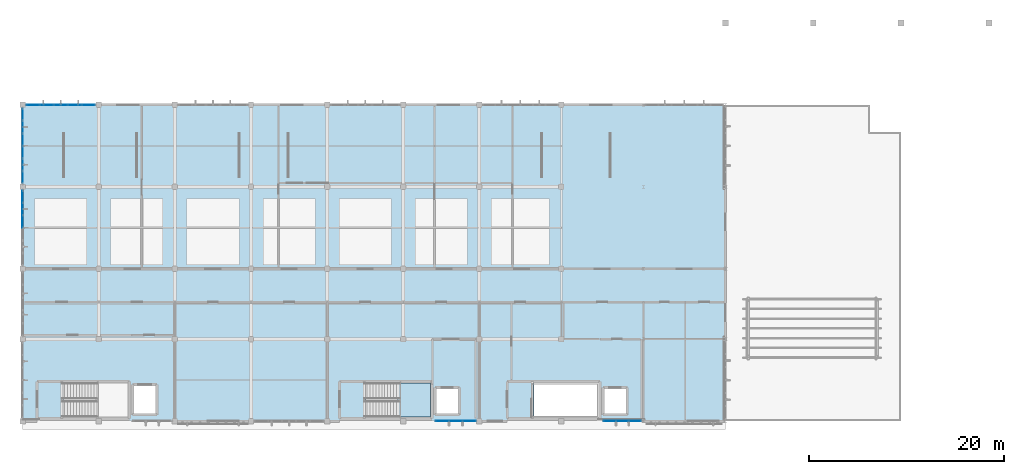
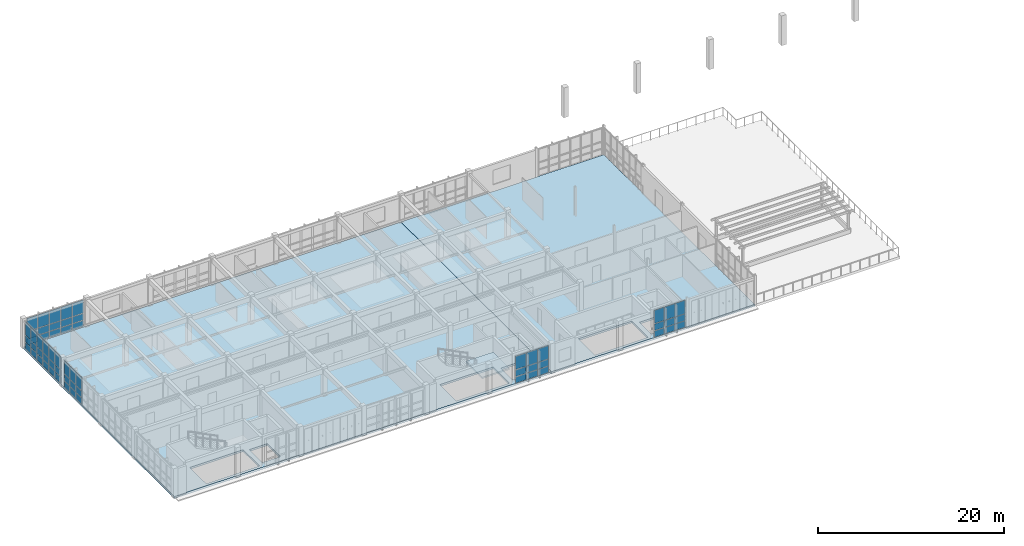
# One storey, part 19 of 35: 60 plates, 3 slabs, 6 elements without a shape of their own.
"""IFC4 building model written with IfcOpenShell, lengths in metres."""

from ifc_helpers import new_model, si_unit, direction, frame, origin, origin_2d, place, context, subcontext, project, spatial, polyline, rectangle, outline, extrude, material, layer, layer_set, type_object, element, aggregate, save


model = new_model("IFC4")

# Units and contexts
model_context = context("Model", 3, precision=1e-05, world=origin(), true_north=direction((0.0, 1.0)))
body_context = subcontext(model_context, "Body", "Model", "MODEL_VIEW")
ifc_project = project(units=[si_unit("LENGTHUNIT", "METRE"), si_unit("AREAUNIT", "SQUARE_METRE"), si_unit("VOLUMEUNIT", "CUBIC_METRE"), si_unit("PLANEANGLEUNIT", "RADIAN"), si_unit("MASSUNIT", "GRAM", prefix="KILO")], contexts=[model_context])

# Site, building, storey
site_placement = place(None, origin())
site = spatial("IfcSite", under=ifc_project, at=site_placement, CompositionType="ELEMENT")
building_placement = place(site_placement, origin())
building = spatial("IfcBuilding", under=site, at=building_placement, Name="Tizgana Railside Sports Hall", CompositionType="ELEMENT")
storey_placement = place(building_placement, frame((0.0, 0.0, 15.89990234375)))
storey = spatial("IfcBuildingStorey", under=building, at=storey_placement, Name="L03", CompositionType="ELEMENT", Elevation=15.89990234375)

# Curtain wall, plates
ifc_material_1 = material(Name="Anodised aluminium and glass", Category="aluminium")
curtain_wall_type_1 = type_object("IfcCurtainWallType", Name="Unitised Curtain Wall Foyer 1300", PredefinedType="NOTDEFINED", material=ifc_material_1)
curtain_wall_1_placement = place(storey_placement, origin())
curtain_wall_1 = element("IfcCurtainWall", 1, at=curtain_wall_1_placement, inside=storey, type_object=curtain_wall_type_1, Name="L03 Curtain Wall CW-0121", PredefinedType="NOTDEFINED")
ifc_material_2 = material(Name="Double low-E laminated glass", Category="glass")
ifc_layer_1 = layer(ifc_material_2, 0.033935546875, Name="Double low-E laminated glass")
ifc_layer_set_1 = layer_set([ifc_layer_1], Name="Double low-E laminated glass")
plate_type_1 = type_object("IfcPlateType", Name="Acoustic Laminated Glazing Panel 34", PredefinedType="CURTAIN_PANEL", material=ifc_layer_set_1)
plate_1_placement = place(storey_placement, frame((53.556640625, 0.0, 0.06005859375), z_axis=(0.0, 0.0, 1.0), x_axis=(-1.0, 0.0, 0.0)))
plate_1 = element("IfcPlate", 2, at=plate_1_placement, type_object=plate_type_1, Name="CW-02 panel 1.1", PredefinedType="CURTAIN_PANEL", context=body_context, shape_type="SweptSolid", body=[
    extrude(rectangle(XDim=1.306640625, YDim=0.033935546875, at=origin_2d()), origin(), (0.0, 0.0, 1.0), 0.81005859375),
])
plate_2_placement = place(storey_placement, frame((53.556640625, 0.0, 0.93017578125), z_axis=(0.0, 0.0, 1.0), x_axis=(-1.0, 0.0, 0.0)))
plate_2 = element("IfcPlate", 3, at=plate_2_placement, type_object=plate_type_1, Name="CW-02 panel 1.2", PredefinedType="CURTAIN_PANEL", context=body_context, shape_type="SweptSolid", body=[
    extrude(rectangle(XDim=1.306640625, YDim=0.033935546875, at=origin_2d()), origin(), (0.0, 0.0, 1.0), 0.860107421875),
])
plate_3_placement = place(storey_placement, frame((53.556640625, 0.0, 1.85009765625), z_axis=(0.0, 0.0, 1.0), x_axis=(-1.0, 0.0, 0.0)))
plate_3 = element("IfcPlate", 4, at=plate_3_placement, type_object=plate_type_1, Name="CW-02 panel 1.3", PredefinedType="CURTAIN_PANEL", context=body_context, shape_type="SweptSolid", body=[
    extrude(rectangle(XDim=1.306640625, YDim=0.033935546875, at=origin_2d()), origin(), (0.0, 0.0, 1.0), 1.72998046875),
])
plate_4_placement = place(storey_placement, frame((52.175048828125, 0.0, 0.06005859375), z_axis=(0.0, 0.0, 1.0), x_axis=(-1.0, 0.0, 0.0)))
plate_4 = element("IfcPlate", 5, at=plate_4_placement, type_object=plate_type_1, Name="CW-02 panel 2.1", PredefinedType="CURTAIN_PANEL", context=body_context, shape_type="SweptSolid", body=[
    extrude(rectangle(XDim=1.336669921875, YDim=0.033935546875, at=origin_2d()), origin(), (0.0, 0.0, 1.0), 0.81005859375),
])
plate_5_placement = place(storey_placement, frame((52.175048828125, 0.0, 0.93017578125), z_axis=(0.0, 0.0, 1.0), x_axis=(-1.0, 0.0, 0.0)))
plate_5 = element("IfcPlate", 6, at=plate_5_placement, type_object=plate_type_1, Name="CW-02 panel 2.2", PredefinedType="CURTAIN_PANEL", context=body_context, shape_type="SweptSolid", body=[
    extrude(rectangle(XDim=1.336669921875, YDim=0.033935546875, at=origin_2d()), origin(), (0.0, 0.0, 1.0), 0.860107421875),
])
plate_6_placement = place(storey_placement, frame((52.175048828125, 0.0, 1.85009765625), z_axis=(0.0, 0.0, 1.0), x_axis=(-1.0, 0.0, 0.0)))
plate_6 = element("IfcPlate", 7, at=plate_6_placement, type_object=plate_type_1, Name="CW-02 panel 2.3", PredefinedType="CURTAIN_PANEL", context=body_context, shape_type="SweptSolid", body=[
    extrude(rectangle(XDim=1.336669921875, YDim=0.033935546875, at=origin_2d()), origin(), (0.0, 0.0, 1.0), 1.72998046875),
])
plate_7_placement = place(storey_placement, frame((50.793212890625, 0.0, 0.06005859375), z_axis=(0.0, 0.0, 1.0), x_axis=(-1.0, 0.0, 0.0)))
plate_7 = element("IfcPlate", 8, at=plate_7_placement, type_object=plate_type_1, Name="CW-02 panel 3.1", PredefinedType="CURTAIN_PANEL", context=body_context, shape_type="SweptSolid", body=[
    extrude(rectangle(XDim=1.306640625, YDim=0.033935546875, at=origin_2d()), origin(), (0.0, 0.0, 1.0), 0.81005859375),
])
plate_8_placement = place(storey_placement, frame((50.793212890625, 0.0, 0.93017578125), z_axis=(0.0, 0.0, 1.0), x_axis=(-1.0, 0.0, 0.0)))
plate_8 = element("IfcPlate", 9, at=plate_8_placement, type_object=plate_type_1, Name="CW-02 panel 3.2", PredefinedType="CURTAIN_PANEL", context=body_context, shape_type="SweptSolid", body=[
    extrude(rectangle(XDim=1.306640625, YDim=0.033935546875, at=origin_2d()), origin(), (0.0, 0.0, 1.0), 0.860107421875),
])
plate_9_placement = place(storey_placement, frame((50.793212890625, 0.0, 1.85009765625), z_axis=(0.0, 0.0, 1.0), x_axis=(-1.0, 0.0, 0.0)))
plate_9 = element("IfcPlate", 10, at=plate_9_placement, type_object=plate_type_1, Name="CW-02 panel 3.3", PredefinedType="CURTAIN_PANEL", context=body_context, shape_type="SweptSolid", body=[
    extrude(rectangle(XDim=1.306640625, YDim=0.033935546875, at=origin_2d()), origin(), (0.0, 0.0, 1.0), 1.72998046875),
])
aggregate(curtain_wall_1, [plate_1, plate_2, plate_3, plate_4, plate_5, plate_6, plate_7, plate_8, plate_9])

# Stair, slab
ifc_material_3 = material(Name="Concrete C35/45", Category="concrete")
stair_type = type_object("IfcStairType", Name="Tournament Court Stair 1600", PredefinedType="HALF_TURN_STAIR", material=ifc_material_3)
stair_placement = place(storey_placement, origin())
stair = element("IfcStair", 11, at=stair_placement, inside=storey, type_object=stair_type, Name="L03 Core Stair ST-02", PredefinedType="HALF_TURN_STAIR")
ifc_layer_2 = layer(ifc_material_3, 0.199951171875, Name="Concrete C35/45")
ifc_layer_set_2 = layer_set([ifc_layer_2], Name="Concrete C35/45")
slab_type_1 = type_object("IfcSlabType", Name="Core Stair Landing Slab 200", PredefinedType="LANDING", material=ifc_layer_set_2)
slab_1_placement = place(storey_placement, frame((0.0, 0.0, 1.75)))
slab_1 = element("IfcSlab", 12, at=slab_1_placement, type_object=slab_type_1, Name="ST-02 landing 1", PredefinedType="LANDING", context=body_context, shape_type="SweptSolid", body=[
    extrude(outline(polyline([(46.219970703125, 0.39990234375), (49.60009765625, 0.39990234375), (49.60009765625, 3.89990234375), (46.219970703125, 3.89990234375), (46.219970703125, 0.39990234375)])), origin(), (0.0, 0.0, 1.0), 0.2001953125),
])
aggregate(stair, [slab_1])

# Curtain wall, plates
curtain_wall_type_2 = type_object("IfcCurtainWallType", Name="Unitised Curtain Wall Studio 1400", PredefinedType="NOTDEFINED", material=ifc_material_1)
curtain_wall_2_placement = place(storey_placement, origin())
curtain_wall_2 = element("IfcCurtainWall", 13, at=curtain_wall_2_placement, inside=storey, type_object=curtain_wall_type_2, Name="L03 Curtain Wall CW-0122", PredefinedType="NOTDEFINED")
ifc_layer_3 = layer(ifc_material_2, 0.0400390625, Name="Double low-E laminated glass")
ifc_layer_set_3 = layer_set([ifc_layer_3], Name="Double low-E laminated glass")
plate_type_2 = type_object("IfcPlateType", Name="High-Span Tempered Glazing Panel 40", PredefinedType="CURTAIN_PANEL", material=ifc_layer_set_3)
plate_10_placement = place(storey_placement, frame((70.535888671875, 0.0, 0.06005859375), z_axis=(0.0, 0.0, 1.0), x_axis=(-1.0, 0.0, 0.0)))
plate_10 = element("IfcPlate", 14, at=plate_10_placement, type_object=plate_type_2, Name="CW-03 panel 1.1", PredefinedType="CURTAIN_PANEL", context=body_context, shape_type="SweptSolid", body=[
    extrude(rectangle(XDim=1.21826171875, YDim=0.0400390625, at=origin_2d()), origin(), (0.0, 0.0, 1.0), 0.81005859375),
])
plate_11_placement = place(storey_placement, frame((70.535888671875, 0.0, 0.93017578125), z_axis=(0.0, 0.0, 1.0), x_axis=(-1.0, 0.0, 0.0)))
plate_11 = element("IfcPlate", 15, at=plate_11_placement, type_object=plate_type_2, Name="CW-03 panel 1.2", PredefinedType="CURTAIN_PANEL", context=body_context, shape_type="SweptSolid", body=[
    extrude(rectangle(XDim=1.21826171875, YDim=0.0400390625, at=origin_2d()), origin(), (0.0, 0.0, 1.0), 0.860107421875),
])
plate_12_placement = place(storey_placement, frame((70.535888671875, 0.0, 1.85009765625), z_axis=(0.0, 0.0, 1.0), x_axis=(-1.0, 0.0, 0.0)))
plate_12 = element("IfcPlate", 16, at=plate_12_placement, type_object=plate_type_2, Name="CW-03 panel 1.3", PredefinedType="CURTAIN_PANEL", context=body_context, shape_type="SweptSolid", body=[
    extrude(rectangle(XDim=1.21826171875, YDim=0.0400390625, at=origin_2d()), origin(), (0.0, 0.0, 1.0), 1.72998046875),
])
plate_13_placement = place(storey_placement, frame((69.242431640625, 0.0, 0.06005859375), z_axis=(0.0, 0.0, 1.0), x_axis=(-1.0, 0.0, 0.0)))
plate_13 = element("IfcPlate", 17, at=plate_13_placement, type_object=plate_type_2, Name="CW-03 panel 2.1", PredefinedType="CURTAIN_PANEL", context=body_context, shape_type="SweptSolid", body=[
    extrude(rectangle(XDim=1.248291015625, YDim=0.0400390625, at=origin_2d()), origin(), (0.0, 0.0, 1.0), 0.81005859375),
])
plate_14_placement = place(storey_placement, frame((69.242431640625, 0.0, 0.93017578125), z_axis=(0.0, 0.0, 1.0), x_axis=(-1.0, 0.0, 0.0)))
plate_14 = element("IfcPlate", 18, at=plate_14_placement, type_object=plate_type_2, Name="CW-03 panel 2.2", PredefinedType="CURTAIN_PANEL", context=body_context, shape_type="SweptSolid", body=[
    extrude(rectangle(XDim=1.248291015625, YDim=0.0400390625, at=origin_2d()), origin(), (0.0, 0.0, 1.0), 0.860107421875),
])
plate_15_placement = place(storey_placement, frame((69.242431640625, 0.0, 1.85009765625), z_axis=(0.0, 0.0, 1.0), x_axis=(-1.0, 0.0, 0.0)))
plate_15 = element("IfcPlate", 19, at=plate_15_placement, type_object=plate_type_2, Name="CW-03 panel 2.3", PredefinedType="CURTAIN_PANEL", context=body_context, shape_type="SweptSolid", body=[
    extrude(rectangle(XDim=1.248291015625, YDim=0.0400390625, at=origin_2d()), origin(), (0.0, 0.0, 1.0), 1.72998046875),
])
plate_16_placement = place(storey_placement, frame((67.94921875, 0.0, 0.06005859375), z_axis=(0.0, 0.0, 1.0), x_axis=(-1.0, 0.0, 0.0)))
plate_16 = element("IfcPlate", 20, at=plate_16_placement, type_object=plate_type_2, Name="CW-03 panel 3.1", PredefinedType="CURTAIN_PANEL", context=body_context, shape_type="SweptSolid", body=[
    extrude(rectangle(XDim=1.21826171875, YDim=0.0400390625, at=origin_2d()), origin(), (0.0, 0.0, 1.0), 0.81005859375),
])
plate_17_placement = place(storey_placement, frame((67.94921875, 0.0, 0.93017578125), z_axis=(0.0, 0.0, 1.0), x_axis=(-1.0, 0.0, 0.0)))
plate_17 = element("IfcPlate", 21, at=plate_17_placement, type_object=plate_type_2, Name="CW-03 panel 3.2", PredefinedType="CURTAIN_PANEL", context=body_context, shape_type="SweptSolid", body=[
    extrude(rectangle(XDim=1.21826171875, YDim=0.0400390625, at=origin_2d()), origin(), (0.0, 0.0, 1.0), 0.860107421875),
])
plate_18_placement = place(storey_placement, frame((67.94921875, 0.0, 1.85009765625), z_axis=(0.0, 0.0, 1.0), x_axis=(-1.0, 0.0, 0.0)))
plate_18 = element("IfcPlate", 22, at=plate_18_placement, type_object=plate_type_2, Name="CW-03 panel 3.3", PredefinedType="CURTAIN_PANEL", context=body_context, shape_type="SweptSolid", body=[
    extrude(rectangle(XDim=1.21826171875, YDim=0.0400390625, at=origin_2d()), origin(), (0.0, 0.0, 1.0), 1.72998046875),
])
aggregate(curtain_wall_2, [plate_10, plate_11, plate_12, plate_13, plate_14, plate_15, plate_16, plate_17, plate_18])

curtain_wall_3_placement = place(storey_placement, origin())
curtain_wall_3 = element("IfcCurtainWall", 23, at=curtain_wall_3_placement, inside=storey, type_object=curtain_wall_type_2, Name="L03 Curtain Wall CW-0130", PredefinedType="NOTDEFINED")
plate_19_placement = place(storey_placement, frame((7.800048828125, 23.007568359375, 0.070068359375), z_axis=(0.0, 0.0, 1.0), x_axis=(0.0, -1.0, 0.0)))
plate_19 = element("IfcPlate", 24, at=plate_19_placement, type_object=plate_type_2, Name="CW-03 panel 1.1", PredefinedType="CURTAIN_PANEL", context=body_context, shape_type="SweptSolid", body=[
    extrude(rectangle(XDim=1.18505859375, YDim=0.0400390625, at=origin_2d()), origin(), (0.0, 0.0, 1.0), 0.794921875),
])
plate_20_placement = place(storey_placement, frame((7.800048828125, 23.007568359375, 0.93505859375), z_axis=(0.0, 0.0, 1.0), x_axis=(0.0, -1.0, 0.0)))
plate_20 = element("IfcPlate", 25, at=plate_20_placement, type_object=plate_type_2, Name="CW-03 panel 1.2", PredefinedType="CURTAIN_PANEL", context=body_context, shape_type="SweptSolid", body=[
    extrude(rectangle(XDim=1.18505859375, YDim=0.0400390625, at=origin_2d()), origin(), (0.0, 0.0, 1.0), 0.85009765625),
])
plate_21_placement = place(storey_placement, frame((7.800048828125, 23.007568359375, 1.85498046875), z_axis=(0.0, 0.0, 1.0), x_axis=(0.0, -1.0, 0.0)))
plate_21 = element("IfcPlate", 26, at=plate_21_placement, type_object=plate_type_2, Name="CW-03 panel 1.3", PredefinedType="CURTAIN_PANEL", context=body_context, shape_type="SweptSolid", body=[
    extrude(rectangle(XDim=1.18505859375, YDim=0.0400390625, at=origin_2d()), origin(), (0.0, 0.0, 1.0), 1.715087890625),
])
plate_22_placement = place(storey_placement, frame((7.800048828125, 21.735107421875, 0.070068359375), z_axis=(0.0, 0.0, 1.0), x_axis=(0.0, -1.0, 0.0)))
plate_22 = element("IfcPlate", 27, at=plate_22_placement, type_object=plate_type_2, Name="CW-03 panel 2.1", PredefinedType="CURTAIN_PANEL", context=body_context, shape_type="SweptSolid", body=[
    extrude(rectangle(XDim=1.219970703125, YDim=0.0400390625, at=origin_2d()), origin(), (0.0, 0.0, 1.0), 0.794921875),
])
plate_23_placement = place(storey_placement, frame((7.800048828125, 21.735107421875, 0.93505859375), z_axis=(0.0, 0.0, 1.0), x_axis=(0.0, -1.0, 0.0)))
plate_23 = element("IfcPlate", 28, at=plate_23_placement, type_object=plate_type_2, Name="CW-03 panel 2.2", PredefinedType="CURTAIN_PANEL", context=body_context, shape_type="SweptSolid", body=[
    extrude(rectangle(XDim=1.219970703125, YDim=0.0400390625, at=origin_2d()), origin(), (0.0, 0.0, 1.0), 0.85009765625),
])
plate_24_placement = place(storey_placement, frame((7.800048828125, 21.735107421875, 1.85498046875), z_axis=(0.0, 0.0, 1.0), x_axis=(0.0, -1.0, 0.0)))
plate_24 = element("IfcPlate", 29, at=plate_24_placement, type_object=plate_type_2, Name="CW-03 panel 2.3", PredefinedType="CURTAIN_PANEL", context=body_context, shape_type="SweptSolid", body=[
    extrude(rectangle(XDim=1.219970703125, YDim=0.0400390625, at=origin_2d()), origin(), (0.0, 0.0, 1.0), 1.715087890625),
])
plate_25_placement = place(storey_placement, frame((7.800048828125, 20.445068359375, 0.070068359375), z_axis=(0.0, 0.0, 1.0), x_axis=(0.0, -1.0, 0.0)))
plate_25 = element("IfcPlate", 30, at=plate_25_placement, type_object=plate_type_2, Name="CW-03 panel 3.1", PredefinedType="CURTAIN_PANEL", context=body_context, shape_type="SweptSolid", body=[
    extrude(rectangle(XDim=1.219970703125, YDim=0.0400390625, at=origin_2d()), origin(), (0.0, 0.0, 1.0), 0.794921875),
])
plate_26_placement = place(storey_placement, frame((7.800048828125, 20.445068359375, 0.93505859375), z_axis=(0.0, 0.0, 1.0), x_axis=(0.0, -1.0, 0.0)))
plate_26 = element("IfcPlate", 31, at=plate_26_placement, type_object=plate_type_2, Name="CW-03 panel 3.2", PredefinedType="CURTAIN_PANEL", context=body_context, shape_type="SweptSolid", body=[
    extrude(rectangle(XDim=1.219970703125, YDim=0.0400390625, at=origin_2d()), origin(), (0.0, 0.0, 1.0), 0.85009765625),
])
plate_27_placement = place(storey_placement, frame((7.800048828125, 20.445068359375, 1.85498046875), z_axis=(0.0, 0.0, 1.0), x_axis=(0.0, -1.0, 0.0)))
plate_27 = element("IfcPlate", 32, at=plate_27_placement, type_object=plate_type_2, Name="CW-03 panel 3.3", PredefinedType="CURTAIN_PANEL", context=body_context, shape_type="SweptSolid", body=[
    extrude(rectangle(XDim=1.219970703125, YDim=0.0400390625, at=origin_2d()), origin(), (0.0, 0.0, 1.0), 1.715087890625),
])
aggregate(curtain_wall_3, [plate_19, plate_20, plate_21, plate_22, plate_23, plate_24, plate_25, plate_26, plate_27])

curtain_wall_type_3 = type_object("IfcCurtainWallType", Name="Unitised Curtain Wall Climbing 1600", PredefinedType="NOTDEFINED", material=ifc_material_1)
curtain_wall_4_placement = place(storey_placement, origin())
curtain_wall_4 = element("IfcCurtainWall", 33, at=curtain_wall_4_placement, inside=storey, type_object=curtain_wall_type_3, Name="L03 Curtain Wall CW-0123", PredefinedType="NOTDEFINED")
ifc_layer_4 = layer(ifc_material_2, 0.031982421875, Name="Double low-E laminated glass")
ifc_layer_set_4 = layer_set([ifc_layer_4], Name="Double low-E laminated glass")
plate_type_3 = type_object("IfcPlateType", Name="North-Light Clerestory Glazing Panel 32", PredefinedType="CURTAIN_PANEL", material=ifc_layer_set_4)
plate_28_placement = place(storey_placement, frame((8.8603515625, 32.39990234375, 0.06494140625), z_axis=(0.0, 0.0, 1.0), x_axis=(1.0, 0.0, 0.0)))
plate_28 = element("IfcPlate", 34, at=plate_28_placement, type_object=plate_type_3, Name="CW-04 panel 1.1", PredefinedType="CURTAIN_PANEL", context=body_context, shape_type="SweptSolid", body=[
    extrude(rectangle(XDim=1.33056640625, YDim=0.031982421875, at=origin_2d()), origin(), (0.0, 0.0, 1.0), 0.802490234375),
])
plate_29_placement = place(storey_placement, frame((8.8603515625, 32.39990234375, 0.9326171875), z_axis=(0.0, 0.0, 1.0), x_axis=(1.0, 0.0, 0.0)))
plate_29 = element("IfcPlate", 35, at=plate_29_placement, type_object=plate_type_3, Name="CW-04 panel 1.2", PredefinedType="CURTAIN_PANEL", context=body_context, shape_type="SweptSolid", body=[
    extrude(rectangle(XDim=1.33056640625, YDim=0.031982421875, at=origin_2d()), origin(), (0.0, 0.0, 1.0), 0.85498046875),
])
plate_30_placement = place(storey_placement, frame((8.8603515625, 32.39990234375, 1.8525390625), z_axis=(0.0, 0.0, 1.0), x_axis=(1.0, 0.0, 0.0)))
plate_30 = element("IfcPlate", 36, at=plate_30_placement, type_object=plate_type_3, Name="CW-04 panel 1.3", PredefinedType="CURTAIN_PANEL", context=body_context, shape_type="SweptSolid", body=[
    extrude(rectangle(XDim=1.33056640625, YDim=0.031982421875, at=origin_2d()), origin(), (0.0, 0.0, 1.0), 1.722412109375),
])
plate_31_placement = place(storey_placement, frame((10.27197265625, 32.39990234375, 0.06494140625), z_axis=(0.0, 0.0, 1.0), x_axis=(1.0, 0.0, 0.0)))
plate_31 = element("IfcPlate", 37, at=plate_31_placement, type_object=plate_type_3, Name="CW-04 panel 2.1", PredefinedType="CURTAIN_PANEL", context=body_context, shape_type="SweptSolid", body=[
    extrude(rectangle(XDim=1.363037109375, YDim=0.031982421875, at=origin_2d()), origin(), (0.0, 0.0, 1.0), 0.802490234375),
])
plate_32_placement = place(storey_placement, frame((10.27197265625, 32.39990234375, 0.9326171875), z_axis=(0.0, 0.0, 1.0), x_axis=(1.0, 0.0, 0.0)))
plate_32 = element("IfcPlate", 38, at=plate_32_placement, type_object=plate_type_3, Name="CW-04 panel 2.2", PredefinedType="CURTAIN_PANEL", context=body_context, shape_type="SweptSolid", body=[
    extrude(rectangle(XDim=1.363037109375, YDim=0.031982421875, at=origin_2d()), origin(), (0.0, 0.0, 1.0), 0.85498046875),
])
plate_33_placement = place(storey_placement, frame((10.27197265625, 32.39990234375, 1.8525390625), z_axis=(0.0, 0.0, 1.0), x_axis=(1.0, 0.0, 0.0)))
plate_33 = element("IfcPlate", 39, at=plate_33_placement, type_object=plate_type_3, Name="CW-04 panel 2.3", PredefinedType="CURTAIN_PANEL", context=body_context, shape_type="SweptSolid", body=[
    extrude(rectangle(XDim=1.363037109375, YDim=0.031982421875, at=origin_2d()), origin(), (0.0, 0.0, 1.0), 1.722412109375),
])
plate_34_placement = place(storey_placement, frame((11.699951171875, 32.39990234375, 0.06494140625), z_axis=(0.0, 0.0, 1.0), x_axis=(1.0, 0.0, 0.0)))
plate_34 = element("IfcPlate", 40, at=plate_34_placement, type_object=plate_type_3, Name="CW-04 panel 3.1", PredefinedType="CURTAIN_PANEL", context=body_context, shape_type="SweptSolid", body=[
    extrude(rectangle(XDim=1.363037109375, YDim=0.031982421875, at=origin_2d()), origin(), (0.0, 0.0, 1.0), 0.802490234375),
])
plate_35_placement = place(storey_placement, frame((11.699951171875, 32.39990234375, 0.9326171875), z_axis=(0.0, 0.0, 1.0), x_axis=(1.0, 0.0, 0.0)))
plate_35 = element("IfcPlate", 41, at=plate_35_placement, type_object=plate_type_3, Name="CW-04 panel 3.2", PredefinedType="CURTAIN_PANEL", context=body_context, shape_type="SweptSolid", body=[
    extrude(rectangle(XDim=1.363037109375, YDim=0.031982421875, at=origin_2d()), origin(), (0.0, 0.0, 1.0), 0.85498046875),
])
plate_36_placement = place(storey_placement, frame((11.699951171875, 32.39990234375, 1.8525390625), z_axis=(0.0, 0.0, 1.0), x_axis=(1.0, 0.0, 0.0)))
plate_36 = element("IfcPlate", 42, at=plate_36_placement, type_object=plate_type_3, Name="CW-04 panel 3.3", PredefinedType="CURTAIN_PANEL", context=body_context, shape_type="SweptSolid", body=[
    extrude(rectangle(XDim=1.363037109375, YDim=0.031982421875, at=origin_2d()), origin(), (0.0, 0.0, 1.0), 1.722412109375),
])
plate_37_placement = place(storey_placement, frame((13.1279296875, 32.39990234375, 0.06494140625), z_axis=(0.0, 0.0, 1.0), x_axis=(1.0, 0.0, 0.0)))
plate_37 = element("IfcPlate", 43, at=plate_37_placement, type_object=plate_type_3, Name="CW-04 panel 4.1", PredefinedType="CURTAIN_PANEL", context=body_context, shape_type="SweptSolid", body=[
    extrude(rectangle(XDim=1.363037109375, YDim=0.031982421875, at=origin_2d()), origin(), (0.0, 0.0, 1.0), 0.802490234375),
])
plate_38_placement = place(storey_placement, frame((13.1279296875, 32.39990234375, 0.9326171875), z_axis=(0.0, 0.0, 1.0), x_axis=(1.0, 0.0, 0.0)))
plate_38 = element("IfcPlate", 44, at=plate_38_placement, type_object=plate_type_3, Name="CW-04 panel 4.2", PredefinedType="CURTAIN_PANEL", context=body_context, shape_type="SweptSolid", body=[
    extrude(rectangle(XDim=1.363037109375, YDim=0.031982421875, at=origin_2d()), origin(), (0.0, 0.0, 1.0), 0.85498046875),
])
plate_39_placement = place(storey_placement, frame((13.1279296875, 32.39990234375, 1.8525390625), z_axis=(0.0, 0.0, 1.0), x_axis=(1.0, 0.0, 0.0)))
plate_39 = element("IfcPlate", 45, at=plate_39_placement, type_object=plate_type_3, Name="CW-04 panel 4.3", PredefinedType="CURTAIN_PANEL", context=body_context, shape_type="SweptSolid", body=[
    extrude(rectangle(XDim=1.363037109375, YDim=0.031982421875, at=origin_2d()), origin(), (0.0, 0.0, 1.0), 1.722412109375),
])
plate_40_placement = place(storey_placement, frame((14.539794921875, 32.39990234375, 0.06494140625), z_axis=(0.0, 0.0, 1.0), x_axis=(1.0, 0.0, 0.0)))
plate_40 = element("IfcPlate", 46, at=plate_40_placement, type_object=plate_type_3, Name="CW-04 panel 5.1", PredefinedType="CURTAIN_PANEL", context=body_context, shape_type="SweptSolid", body=[
    extrude(rectangle(XDim=1.33056640625, YDim=0.031982421875, at=origin_2d()), origin(), (0.0, 0.0, 1.0), 0.802490234375),
])
plate_41_placement = place(storey_placement, frame((14.539794921875, 32.39990234375, 0.9326171875), z_axis=(0.0, 0.0, 1.0), x_axis=(1.0, 0.0, 0.0)))
plate_41 = element("IfcPlate", 47, at=plate_41_placement, type_object=plate_type_3, Name="CW-04 panel 5.2", PredefinedType="CURTAIN_PANEL", context=body_context, shape_type="SweptSolid", body=[
    extrude(rectangle(XDim=1.33056640625, YDim=0.031982421875, at=origin_2d()), origin(), (0.0, 0.0, 1.0), 0.85498046875),
])
plate_42_placement = place(storey_placement, frame((14.539794921875, 32.39990234375, 1.8525390625), z_axis=(0.0, 0.0, 1.0), x_axis=(1.0, 0.0, 0.0)))
plate_42 = element("IfcPlate", 48, at=plate_42_placement, type_object=plate_type_3, Name="CW-04 panel 5.3", PredefinedType="CURTAIN_PANEL", context=body_context, shape_type="SweptSolid", body=[
    extrude(rectangle(XDim=1.33056640625, YDim=0.031982421875, at=origin_2d()), origin(), (0.0, 0.0, 1.0), 1.722412109375),
])
aggregate(curtain_wall_4, [plate_28, plate_29, plate_30, plate_31, plate_32, plate_33, plate_34, plate_35, plate_36, plate_37, plate_38, plate_39, plate_40, plate_41, plate_42])

curtain_wall_5_placement = place(storey_placement, origin())
curtain_wall_5 = element("IfcCurtainWall", 49, at=curtain_wall_5_placement, inside=storey, type_object=curtain_wall_type_3, Name="L03 Curtain Wall CW-0131", PredefinedType="NOTDEFINED")
plate_43_placement = place(storey_placement, frame((7.800048828125, 31.40625, 0.05517578125), z_axis=(0.0, 0.0, 1.0), x_axis=(0.0, -1.0, 0.0)))
plate_43 = element("IfcPlate", 50, at=plate_43_placement, type_object=plate_type_3, Name="CW-04 panel 1.1", PredefinedType="CURTAIN_PANEL", context=body_context, shape_type="SweptSolid", body=[
    extrude(rectangle(XDim=1.177490234375, YDim=0.031982421875, at=origin_2d()), origin(), (0.0, 0.0, 1.0), 0.8173828125),
])
plate_44_placement = place(storey_placement, frame((7.800048828125, 31.40625, 0.927734375), z_axis=(0.0, 0.0, 1.0), x_axis=(0.0, -1.0, 0.0)))
plate_44 = element("IfcPlate", 51, at=plate_44_placement, type_object=plate_type_3, Name="CW-04 panel 1.2", PredefinedType="CURTAIN_PANEL", context=body_context, shape_type="SweptSolid", body=[
    extrude(rectangle(XDim=1.177490234375, YDim=0.031982421875, at=origin_2d()), origin(), (0.0, 0.0, 1.0), 0.864990234375),
])
plate_45_placement = place(storey_placement, frame((7.800048828125, 31.40625, 1.84765625), z_axis=(0.0, 0.0, 1.0), x_axis=(0.0, -1.0, 0.0)))
plate_45 = element("IfcPlate", 52, at=plate_45_placement, type_object=plate_type_3, Name="CW-04 panel 1.3", PredefinedType="CURTAIN_PANEL", context=body_context, shape_type="SweptSolid", body=[
    extrude(rectangle(XDim=1.177490234375, YDim=0.031982421875, at=origin_2d()), origin(), (0.0, 0.0, 1.0), 1.737548828125),
])
plate_46_placement = place(storey_placement, frame((7.800048828125, 30.135009765625, 0.05517578125), z_axis=(0.0, 0.0, 1.0), x_axis=(0.0, -1.0, 0.0)))
plate_46 = element("IfcPlate", 53, at=plate_46_placement, type_object=plate_type_3, Name="CW-04 panel 2.1", PredefinedType="CURTAIN_PANEL", context=body_context, shape_type="SweptSolid", body=[
    extrude(rectangle(XDim=1.215087890625, YDim=0.031982421875, at=origin_2d()), origin(), (0.0, 0.0, 1.0), 0.8173828125),
])
plate_47_placement = place(storey_placement, frame((7.800048828125, 30.135009765625, 0.927734375), z_axis=(0.0, 0.0, 1.0), x_axis=(0.0, -1.0, 0.0)))
plate_47 = element("IfcPlate", 54, at=plate_47_placement, type_object=plate_type_3, Name="CW-04 panel 2.2", PredefinedType="CURTAIN_PANEL", context=body_context, shape_type="SweptSolid", body=[
    extrude(rectangle(XDim=1.215087890625, YDim=0.031982421875, at=origin_2d()), origin(), (0.0, 0.0, 1.0), 0.864990234375),
])
plate_48_placement = place(storey_placement, frame((7.800048828125, 30.135009765625, 1.84765625), z_axis=(0.0, 0.0, 1.0), x_axis=(0.0, -1.0, 0.0)))
plate_48 = element("IfcPlate", 55, at=plate_48_placement, type_object=plate_type_3, Name="CW-04 panel 2.3", PredefinedType="CURTAIN_PANEL", context=body_context, shape_type="SweptSolid", body=[
    extrude(rectangle(XDim=1.215087890625, YDim=0.031982421875, at=origin_2d()), origin(), (0.0, 0.0, 1.0), 1.737548828125),
])
plate_49_placement = place(storey_placement, frame((7.800048828125, 28.844970703125, 0.05517578125), z_axis=(0.0, 0.0, 1.0), x_axis=(0.0, -1.0, 0.0)))
plate_49 = element("IfcPlate", 56, at=plate_49_placement, type_object=plate_type_3, Name="CW-04 panel 3.1", PredefinedType="CURTAIN_PANEL", context=body_context, shape_type="SweptSolid", body=[
    extrude(rectangle(XDim=1.215087890625, YDim=0.031982421875, at=origin_2d()), origin(), (0.0, 0.0, 1.0), 0.8173828125),
])
plate_50_placement = place(storey_placement, frame((7.800048828125, 28.844970703125, 0.927734375), z_axis=(0.0, 0.0, 1.0), x_axis=(0.0, -1.0, 0.0)))
plate_50 = element("IfcPlate", 57, at=plate_50_placement, type_object=plate_type_3, Name="CW-04 panel 3.2", PredefinedType="CURTAIN_PANEL", context=body_context, shape_type="SweptSolid", body=[
    extrude(rectangle(XDim=1.215087890625, YDim=0.031982421875, at=origin_2d()), origin(), (0.0, 0.0, 1.0), 0.864990234375),
])
plate_51_placement = place(storey_placement, frame((7.800048828125, 28.844970703125, 1.84765625), z_axis=(0.0, 0.0, 1.0), x_axis=(0.0, -1.0, 0.0)))
plate_51 = element("IfcPlate", 58, at=plate_51_placement, type_object=plate_type_3, Name="CW-04 panel 3.3", PredefinedType="CURTAIN_PANEL", context=body_context, shape_type="SweptSolid", body=[
    extrude(rectangle(XDim=1.215087890625, YDim=0.031982421875, at=origin_2d()), origin(), (0.0, 0.0, 1.0), 1.737548828125),
])
plate_52_placement = place(storey_placement, frame((7.800048828125, 27.554931640625, 0.05517578125), z_axis=(0.0, 0.0, 1.0), x_axis=(0.0, -1.0, 0.0)))
plate_52 = element("IfcPlate", 59, at=plate_52_placement, type_object=plate_type_3, Name="CW-04 panel 4.1", PredefinedType="CURTAIN_PANEL", context=body_context, shape_type="SweptSolid", body=[
    extrude(rectangle(XDim=1.215087890625, YDim=0.031982421875, at=origin_2d()), origin(), (0.0, 0.0, 1.0), 0.8173828125),
])
plate_53_placement = place(storey_placement, frame((7.800048828125, 27.554931640625, 0.927734375), z_axis=(0.0, 0.0, 1.0), x_axis=(0.0, -1.0, 0.0)))
plate_53 = element("IfcPlate", 60, at=plate_53_placement, type_object=plate_type_3, Name="CW-04 panel 4.2", PredefinedType="CURTAIN_PANEL", context=body_context, shape_type="SweptSolid", body=[
    extrude(rectangle(XDim=1.215087890625, YDim=0.031982421875, at=origin_2d()), origin(), (0.0, 0.0, 1.0), 0.864990234375),
])
plate_54_placement = place(storey_placement, frame((7.800048828125, 27.554931640625, 1.84765625), z_axis=(0.0, 0.0, 1.0), x_axis=(0.0, -1.0, 0.0)))
plate_54 = element("IfcPlate", 61, at=plate_54_placement, type_object=plate_type_3, Name="CW-04 panel 4.3", PredefinedType="CURTAIN_PANEL", context=body_context, shape_type="SweptSolid", body=[
    extrude(rectangle(XDim=1.215087890625, YDim=0.031982421875, at=origin_2d()), origin(), (0.0, 0.0, 1.0), 1.737548828125),
])
plate_55_placement = place(storey_placement, frame((7.800048828125, 26.264892578125, 0.05517578125), z_axis=(0.0, 0.0, 1.0), x_axis=(0.0, -1.0, 0.0)))
plate_55 = element("IfcPlate", 62, at=plate_55_placement, type_object=plate_type_3, Name="CW-04 panel 5.1", PredefinedType="CURTAIN_PANEL", context=body_context, shape_type="SweptSolid", body=[
    extrude(rectangle(XDim=1.215087890625, YDim=0.031982421875, at=origin_2d()), origin(), (0.0, 0.0, 1.0), 0.8173828125),
])
plate_56_placement = place(storey_placement, frame((7.800048828125, 26.264892578125, 0.927734375), z_axis=(0.0, 0.0, 1.0), x_axis=(0.0, -1.0, 0.0)))
plate_56 = element("IfcPlate", 63, at=plate_56_placement, type_object=plate_type_3, Name="CW-04 panel 5.2", PredefinedType="CURTAIN_PANEL", context=body_context, shape_type="SweptSolid", body=[
    extrude(rectangle(XDim=1.215087890625, YDim=0.031982421875, at=origin_2d()), origin(), (0.0, 0.0, 1.0), 0.864990234375),
])
plate_57_placement = place(storey_placement, frame((7.800048828125, 26.264892578125, 1.84765625), z_axis=(0.0, 0.0, 1.0), x_axis=(0.0, -1.0, 0.0)))
plate_57 = element("IfcPlate", 64, at=plate_57_placement, type_object=plate_type_3, Name="CW-04 panel 5.3", PredefinedType="CURTAIN_PANEL", context=body_context, shape_type="SweptSolid", body=[
    extrude(rectangle(XDim=1.215087890625, YDim=0.031982421875, at=origin_2d()), origin(), (0.0, 0.0, 1.0), 1.737548828125),
])
plate_58_placement = place(storey_placement, frame((7.800048828125, 24.99365234375, 0.05517578125), z_axis=(0.0, 0.0, 1.0), x_axis=(0.0, -1.0, 0.0)))
plate_58 = element("IfcPlate", 65, at=plate_58_placement, type_object=plate_type_3, Name="CW-04 panel 6.1", PredefinedType="CURTAIN_PANEL", context=body_context, shape_type="SweptSolid", body=[
    extrude(rectangle(XDim=1.177490234375, YDim=0.031982421875, at=origin_2d()), origin(), (0.0, 0.0, 1.0), 0.8173828125),
])
plate_59_placement = place(storey_placement, frame((7.800048828125, 24.99365234375, 0.927734375), z_axis=(0.0, 0.0, 1.0), x_axis=(0.0, -1.0, 0.0)))
plate_59 = element("IfcPlate", 66, at=plate_59_placement, type_object=plate_type_3, Name="CW-04 panel 6.2", PredefinedType="CURTAIN_PANEL", context=body_context, shape_type="SweptSolid", body=[
    extrude(rectangle(XDim=1.177490234375, YDim=0.031982421875, at=origin_2d()), origin(), (0.0, 0.0, 1.0), 0.864990234375),
])
plate_60_placement = place(storey_placement, frame((7.800048828125, 24.99365234375, 1.84765625), z_axis=(0.0, 0.0, 1.0), x_axis=(0.0, -1.0, 0.0)))
plate_60 = element("IfcPlate", 67, at=plate_60_placement, type_object=plate_type_3, Name="CW-04 panel 6.3", PredefinedType="CURTAIN_PANEL", context=body_context, shape_type="SweptSolid", body=[
    extrude(rectangle(XDim=1.177490234375, YDim=0.031982421875, at=origin_2d()), origin(), (0.0, 0.0, 1.0), 1.737548828125),
])
aggregate(curtain_wall_5, [plate_43, plate_44, plate_45, plate_46, plate_47, plate_48, plate_49, plate_50, plate_51, plate_52, plate_53, plate_54, plate_55, plate_56, plate_57, plate_58, plate_59, plate_60])

# Slabs
ifc_layer_5 = layer(ifc_material_3, 0.260009765625, Name="Concrete C35/45")
ifc_layer_set_5 = layer_set([ifc_layer_5], Name="Concrete C35/45")
slab_type_2 = type_object("IfcSlabType", Name="Suspended Studio Floor Slab 260", PredefinedType="FLOOR", material=ifc_layer_set_5)
slab_2_placement = place(storey_placement, frame((0.0, 0.0, -0.260009765625)))
element("IfcSlab", 68, at=slab_2_placement, inside=storey, type_object=slab_type_2, Name="L03 V5 L03 West Slab SLB-0034", PredefinedType="FLOOR", context=body_context, shape_type="SweptSolid", body=[
    extrude(outline(polyline([(7.800048828125, 0.0), (54.60009765625, 0.0), (54.60009765625, 32.39990234375), (7.800048828125, 32.39990234375), (7.800048828125, 0.0)]), holes=[polyline([(11.97998046875, 0.39990234375), (18.60009765625, 0.39990234375), (18.60009765625, 3.89990234375), (11.97998046875, 3.89990234375), (11.97998046875, 0.39990234375)]), polyline([(19.199951171875, 0.800048828125), (21.39990234375, 0.800048828125), (21.39990234375, 3.60009765625), (19.199951171875, 3.60009765625), (19.199951171875, 0.800048828125)]), polyline([(42.97998046875, 0.39990234375), (49.60009765625, 0.39990234375), (49.60009765625, 3.89990234375), (42.97998046875, 3.89990234375), (42.97998046875, 0.39990234375)]), polyline([(50.199951171875, 0.800048828125), (52.39990234375, 0.800048828125), (52.39990234375, 3.300048828125), (50.199951171875, 3.300048828125), (50.199951171875, 0.800048828125)])]), origin(), (0.0, 0.0, 1.0), 0.260009765625),
])
slab_3_placement = place(storey_placement, frame((0.0, 0.0, -0.260009765625)))
element("IfcSlab", 69, at=slab_3_placement, inside=storey, type_object=slab_type_2, Name="L03 V5 L03 Central Slab SLB-0035", PredefinedType="FLOOR", context=body_context, shape_type="SweptSolid", body=[
    extrude(outline(polyline([(54.60009765625, 0.0), (79.800048828125, 0.0), (79.800048828125, 32.39990234375), (54.60009765625, 32.39990234375), (54.60009765625, 0.0)]), holes=[polyline([(60.179931640625, 0.39990234375), (66.800048828125, 0.39990234375), (66.800048828125, 3.89990234375), (60.179931640625, 3.89990234375), (60.179931640625, 0.39990234375)]), polyline([(67.39990234375, 0.800048828125), (69.60009765625, 0.800048828125), (69.60009765625, 3.300048828125), (67.39990234375, 3.300048828125), (67.39990234375, 0.800048828125)])]), origin(), (0.0, 0.0, 1.0), 0.260009765625),
])

save(model, "model.ifc")
